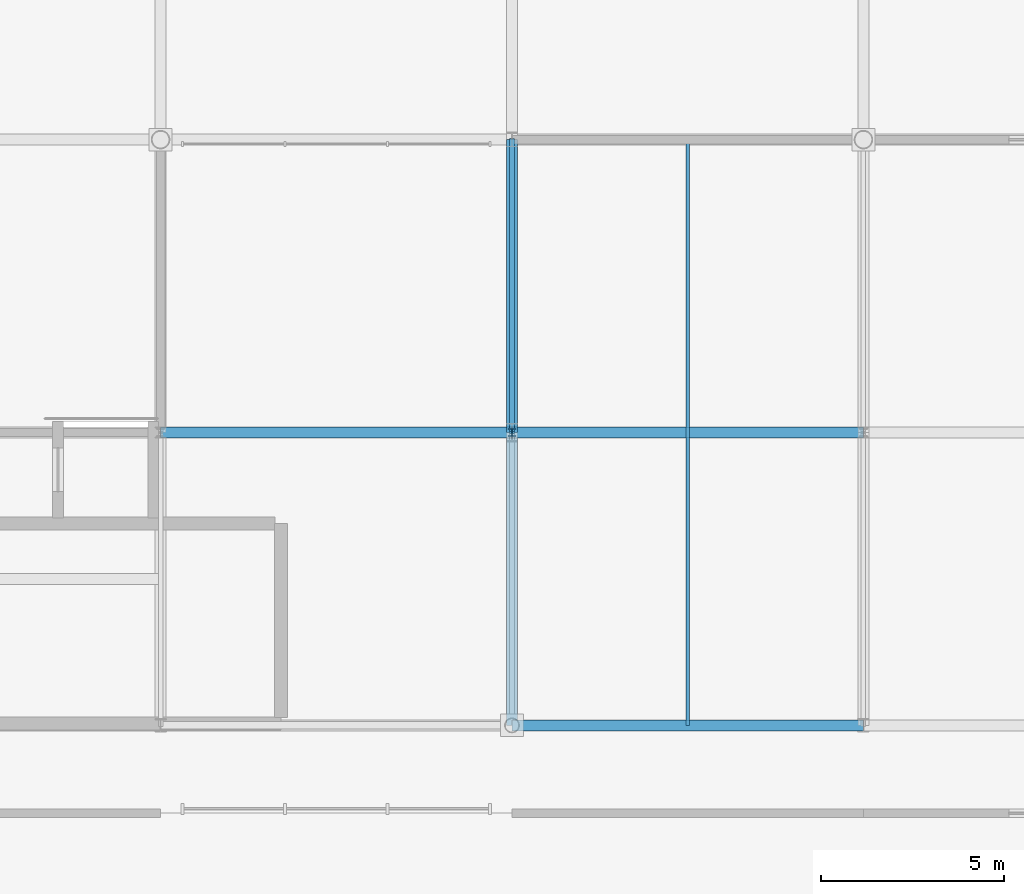
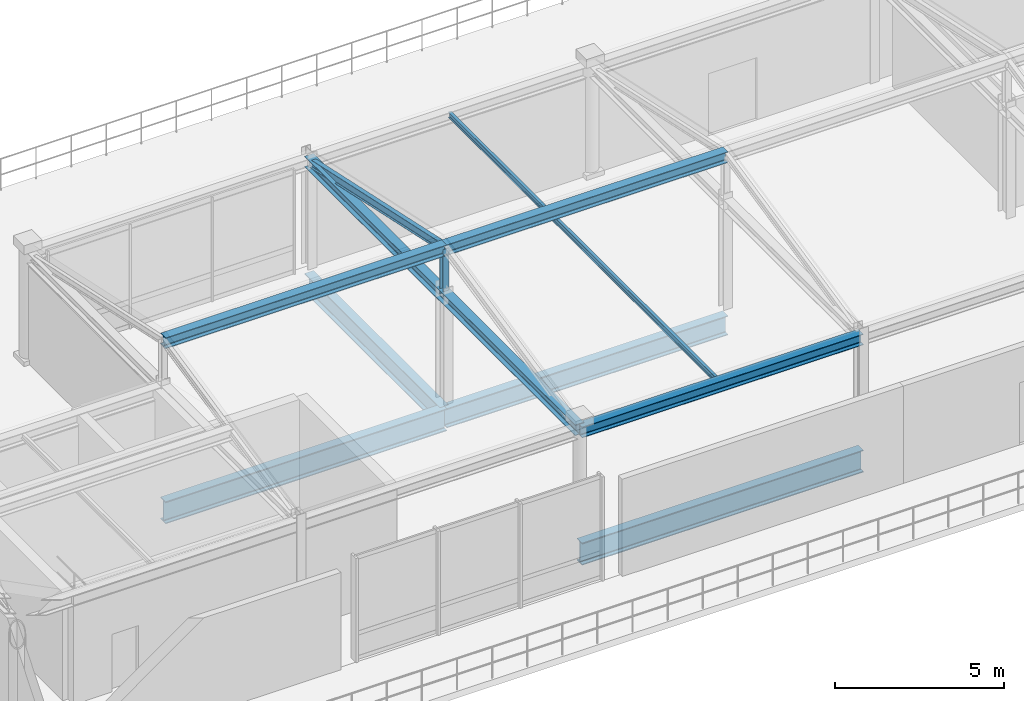
# One storey, part 5 of 26: 8 beams, 3 members.
"""IFC4 building model written with IfcOpenShell, lengths in metres."""

from ifc_helpers import new_model, si_unit, direction, frame, origin, origin_2d, place, context, subcontext, project, spatial, i_section, extrude, material, material_profile, profile_set, type_object, element, save


model = new_model("IFC4")

# Units and contexts
model_context = context("Model", 3, precision=1e-05, world=origin(), true_north=direction((0.0, 1.0)))
body_context = subcontext(model_context, "Body", "Model", "MODEL_VIEW")
ifc_project = project(units=[si_unit("LENGTHUNIT", "METRE"), si_unit("AREAUNIT", "SQUARE_METRE"), si_unit("VOLUMEUNIT", "CUBIC_METRE"), si_unit("PLANEANGLEUNIT", "RADIAN"), si_unit("MASSUNIT", "GRAM", prefix="KILO")], contexts=[model_context])

# Site, building, storey
site_placement = place(None, origin())
site = spatial("IfcSite", under=ifc_project, at=site_placement, CompositionType="ELEMENT")
building_placement = place(site_placement, origin())
building = spatial("IfcBuilding", under=site, at=building_placement, Name="Danafjord Basin Convention Centre", CompositionType="ELEMENT")
storey_placement = place(building_placement, frame((0.0, 0.0, 29.39990234375)))
storey = spatial("IfcBuildingStorey", under=building, at=storey_placement, Name="RF", CompositionType="ELEMENT", Elevation=29.39990234375)

# Beams
ifc_material = material(Name="Steel S355", Category="steel")
ifc_material_profile_1 = material_profile(ifc_material, i_section(OverallWidth=0.300048828125, OverallDepth=0.389892578125, WebThickness=0.010986328125, FlangeThickness=0.01904296875, FilletRadius=0.027099609375, at=origin_2d()), Name="HEA 400")
ifc_profile_set_1 = profile_set([ifc_material_profile_1], Name="Steel S355")
beam_type_1 = type_object("IfcBeamType", Name="BEAM-BM-HEA400", PredefinedType="BEAM", material=ifc_profile_set_1)
beam_1_placement = place(storey_placement, frame((28.800048828125, 16.0, 3.800048828125), z_axis=(0.0, 1.0, 0.0), x_axis=(-1.0, 0.0, 0.0)))
element("IfcBeam", 1, at=beam_1_placement, inside=storey, type_object=beam_type_1, Name="Observatory transverse tie beam", PredefinedType="BEAM", context=body_context, shape_type="SweptSolid", body=[
    extrude(i_section(OverallWidth=0.300048828125, OverallDepth=0.389892578125, WebThickness=0.010986328125, FlangeThickness=0.01904296875, FilletRadius=0.027099609375, at=origin_2d()), origin(), (0.0, 0.0, 1.0), 16.0),
])
beam_2_placement = place(storey_placement, frame((19.199951171875, 24.0, 5.48974609375), z_axis=(1.0, 0.0, 0.0), x_axis=(0.0, 1.0, 0.0)))
element("IfcBeam", 2, at=beam_2_placement, inside=storey, type_object=beam_type_1, Name="Observatory ridge beam", PredefinedType="BEAM", context=body_context, shape_type="SweptSolid", body=[
    extrude(i_section(OverallWidth=0.300048828125, OverallDepth=0.389892578125, WebThickness=0.010986328125, FlangeThickness=0.01904296875, FilletRadius=0.027099609375, at=origin_2d()), origin(), (0.0, 0.0, 1.0), 9.60009765625),
])
for number, where, z_axis, x_axis, name in (
    (3, (28.800048828125, 16.0, 3.760009765625), (1.0, 0.0, 0.0), (0.0, 1.0, 0.0), "Observatory south eave girder"),
    (4, (28.800048828125, 24.0, 5.48974609375), (1.0, 0.0, 0.0), (0.0, 1.0, 0.0), "Observatory ridge beam"),
):
    element("IfcBeam", number, at=place(storey_placement, frame(where, z_axis=z_axis, x_axis=x_axis)), inside=storey, type_object=beam_type_1, Name=name, PredefinedType="BEAM", context=body_context, shape_type="SweptSolid", body=[
        extrude(i_section(OverallWidth=0.300048828125, OverallDepth=0.389892578125, WebThickness=0.010986328125, FlangeThickness=0.01904296875, FilletRadius=0.027099609375, at=origin_2d()), origin(), (0.0, 0.0, 1.0), 9.599853515625),
    ])
ifc_material_profile_2 = material_profile(ifc_material, i_section(OverallWidth=0.300048828125, OverallDepth=0.699951171875, WebThickness=0.01708984375, FlangeThickness=0.031982421875, FilletRadius=0.027099609375, at=origin_2d()), Name="HEB 700")
ifc_profile_set_2 = profile_set([ifc_material_profile_2], Name="Steel S355")
beam_type_2 = type_object("IfcBeamType", Name="BEAM-BM-HEB700", PredefinedType="BEAM", material=ifc_profile_set_2)
beam_3_placement = place(storey_placement, frame((28.800048828125, 24.0, -0.579833984375), z_axis=(1.0, 0.0, 0.0), x_axis=(0.0, 1.0, 0.0)))
element("IfcBeam", 5, at=beam_3_placement, inside=storey, type_object=beam_type_2, Name="RF girder BM-HEB700", PredefinedType="BEAM", context=body_context, shape_type="SweptSolid", body=[
    extrude(i_section(OverallWidth=0.300048828125, OverallDepth=0.699951171875, WebThickness=0.01708984375, FlangeThickness=0.031982421875, FilletRadius=0.027099609375, at=origin_2d()), origin(), (0.0, 0.0, 1.0), 9.599853515625),
])
beam_4_placement = place(storey_placement, frame((28.800048828125, 24.0, -0.579833984375), z_axis=(0.0, 1.0, 0.0), x_axis=(-1.0, 0.0, 0.0)))
element("IfcBeam", 6, at=beam_4_placement, inside=storey, type_object=beam_type_2, Name="RF transverse girder BM-HEB700", PredefinedType="BEAM", context=body_context, shape_type="SweptSolid", body=[
    extrude(i_section(OverallWidth=0.300048828125, OverallDepth=0.699951171875, WebThickness=0.01708984375, FlangeThickness=0.031982421875, FilletRadius=0.027099609375, at=origin_2d()), origin(), (0.0, 0.0, 1.0), 8.0),
])
ifc_material_profile_3 = material_profile(ifc_material, i_section(OverallWidth=0.300048828125, OverallDepth=0.800048828125, WebThickness=0.017578125, FlangeThickness=0.032958984375, FilletRadius=0.030029296875, at=origin_2d()), Name="HEB 800")
ifc_profile_set_3 = profile_set([ifc_material_profile_3], Name="Steel S355")
beam_type_3 = type_object("IfcBeamType", Name="BEAM-BM-HEB800", PredefinedType="BEAM", material=ifc_profile_set_3)
beam_5_placement = place(storey_placement, frame((19.199951171875, 24.0, -0.6298828125), z_axis=(1.0, 0.0, 0.0), x_axis=(0.0, 1.0, 0.0)))
element("IfcBeam", 7, at=beam_5_placement, inside=storey, type_object=beam_type_3, Name="RF girder BM-HEB800", PredefinedType="BEAM", context=body_context, shape_type="SweptSolid", body=[
    extrude(i_section(OverallWidth=0.300048828125, OverallDepth=0.800048828125, WebThickness=0.017578125, FlangeThickness=0.032958984375, FilletRadius=0.030029296875, at=origin_2d()), origin(), (0.0, 0.0, 1.0), 9.60009765625),
])
beam_6_placement = place(storey_placement, frame((28.800048828125, 16.0, -0.6298828125), z_axis=(1.0, 0.0, 0.0), x_axis=(0.0, 1.0, 0.0)))
element("IfcBeam", 8, at=beam_6_placement, inside=storey, type_object=beam_type_3, Name="RF girder BM-HEB800", PredefinedType="BEAM", context=body_context, shape_type="SweptSolid", body=[
    extrude(i_section(OverallWidth=0.300048828125, OverallDepth=0.800048828125, WebThickness=0.017578125, FlangeThickness=0.032958984375, FilletRadius=0.030029296875, at=origin_2d()), origin(), (0.0, 0.0, 1.0), 9.599853515625),
])

# Members
ifc_material_profile_4 = material_profile(ifc_material, i_section(OverallWidth=0.10009765625, OverallDepth=0.199951171875, WebThickness=0.005615234375, FlangeThickness=0.008544921875, FilletRadius=0.011962890625, at=origin_2d()), Name="IPE 200")
ifc_profile_set_4 = profile_set([ifc_material_profile_4], Name="Steel S355")
member_type_1 = type_object("IfcMemberType", Name="MEM-CL-IPE200", PredefinedType="COLLAR", material=ifc_profile_set_4)
member_1_placement = place(storey_placement, frame((33.60009765625, 16.0, 3.780029296875), z_axis=(0.0, 1.0, 0.0), x_axis=(-1.0, 0.0, 0.0)))
element("IfcMember", 9, at=member_1_placement, inside=storey, type_object=member_type_1, Name="Observatory roof collar tie", PredefinedType="COLLAR", context=body_context, shape_type="SweptSolid", body=[
    extrude(i_section(OverallWidth=0.10009765625, OverallDepth=0.199951171875, WebThickness=0.005615234375, FlangeThickness=0.008544921875, FilletRadius=0.011962890625, at=origin_2d()), origin(), (0.0, 0.0, 1.0), 16.0),
])
ifc_material_profile_5 = material_profile(ifc_material, i_section(OverallWidth=0.14990234375, OverallDepth=0.300048828125, WebThickness=0.007080078125, FlangeThickness=0.0107421875, FilletRadius=0.014892578125, at=origin_2d()), Name="IPE 300")
ifc_profile_set_5 = profile_set([ifc_material_profile_5], Name="Steel S355")
member_type_2 = type_object("IfcMemberType", Name="MEM-RF-IPE300", PredefinedType="RAFTER", material=ifc_profile_set_5)
member_2_placement = place(storey_placement, frame((28.800048828125, 32.0, 3.780029296875), z_axis=(0.0, -0.977413998917, 0.211333562693), x_axis=(1.0, 0.0, 0.0)))
element("IfcMember", 10, at=member_2_placement, inside=storey, type_object=member_type_2, Name="Observatory pitched roof rafter", PredefinedType="RAFTER", context=body_context, shape_type="SweptSolid", body=[
    extrude(i_section(OverallWidth=0.14990234375, OverallDepth=0.300048828125, WebThickness=0.007080078125, FlangeThickness=0.0107421875, FilletRadius=0.014892578125, at=origin_2d()), origin(), (0.0, 0.0, 1.0), 8.184814453125),
])
ifc_material_profile_6 = material_profile(ifc_material, i_section(OverallWidth=0.199951171875, OverallDepth=0.199951171875, WebThickness=0.009033203125, FlangeThickness=0.014892578125, FilletRadius=0.01806640625, at=origin_2d()), Name="HEB 200")
ifc_profile_set_6 = profile_set([ifc_material_profile_6], Name="Steel S355")
member_type_3 = type_object("IfcMemberType", Name="MEM-ST-HEB200", PredefinedType="STRUT", material=ifc_profile_set_6)
member_3_placement = place(storey_placement, frame((28.800048828125, 24.0, 3.800048828125), z_axis=(0.0, 0.0, 1.0), x_axis=(1.0, 0.0, 0.0)))
element("IfcMember", 11, at=member_3_placement, inside=storey, type_object=member_type_3, Name="Observatory ridge king-post", PredefinedType="STRUT", context=body_context, shape_type="SweptSolid", body=[
    extrude(i_section(OverallWidth=0.199951171875, OverallDepth=0.199951171875, WebThickness=0.009033203125, FlangeThickness=0.014892578125, FilletRadius=0.01806640625, at=origin_2d()), origin(), (0.0, 0.0, 1.0), 1.709716796875),
])

save(model, "model.ifc")
